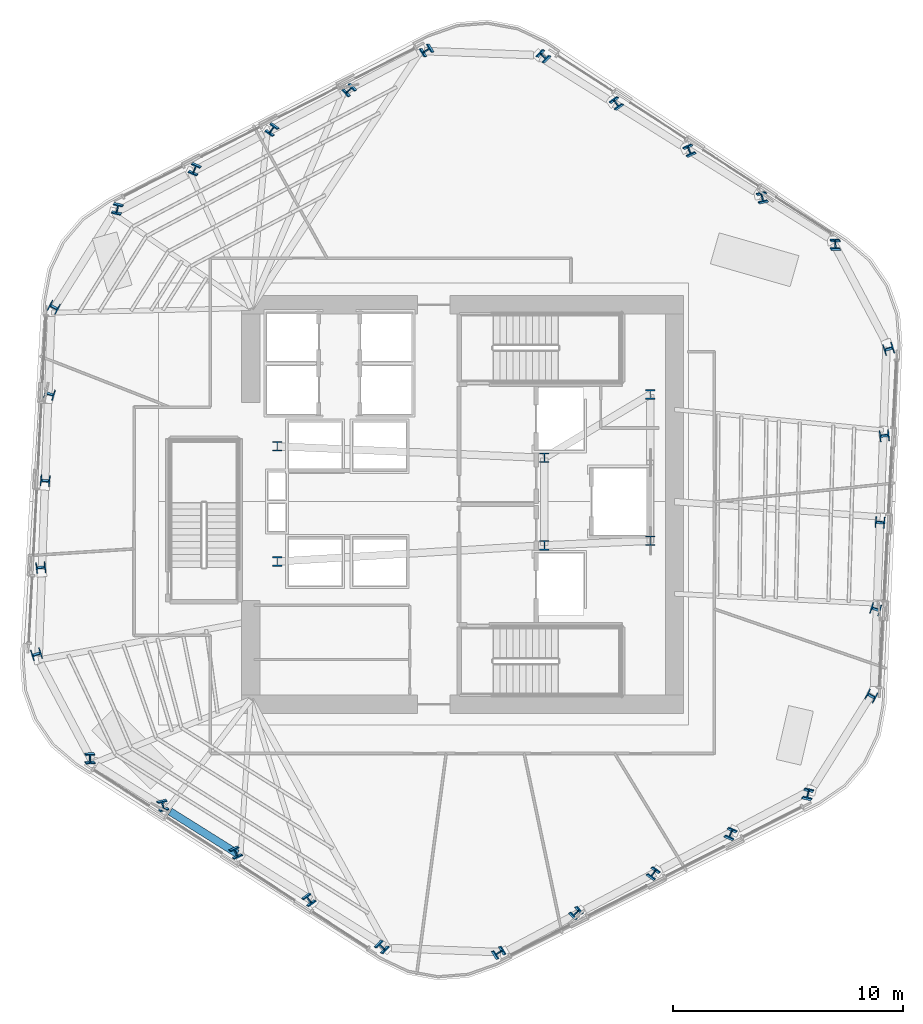
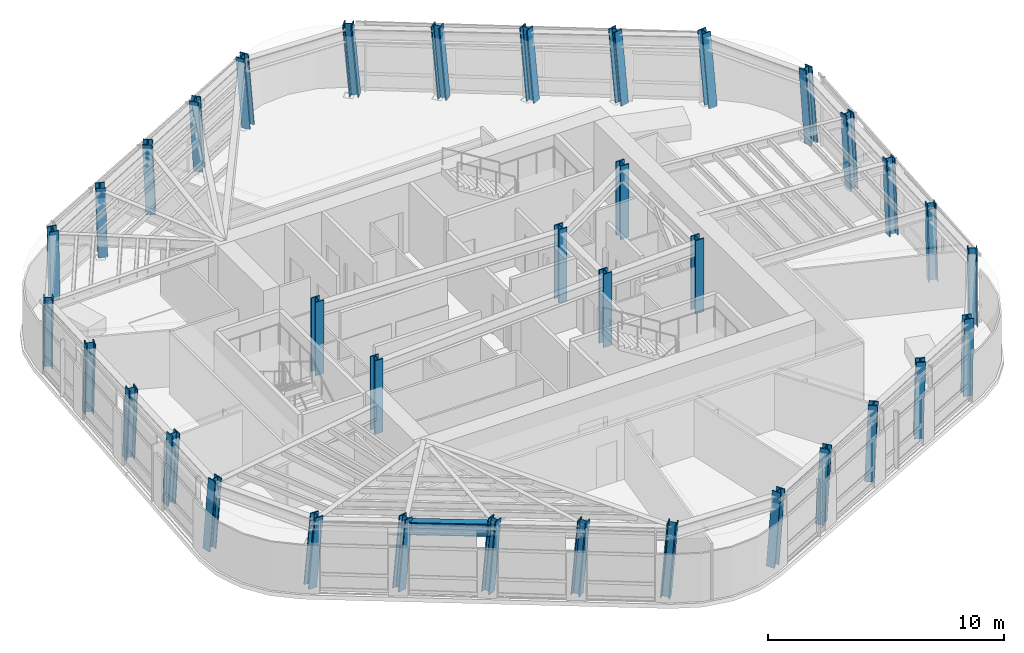
# One storey, part 1 of 14: 36 columns, 1 beam.
"""IFC4 building model written with IfcOpenShell, lengths in metres."""

from ifc_helpers import new_model, si_unit, direction, frame, origin, origin_2d, place, context, subcontext, project, spatial, i_section, extrude, material, material_profile, profile_set, type_object, element, save


model = new_model("IFC4")

# Units and contexts
model_context = context("Model", 3, precision=1e-05, world=origin(), true_north=direction((0.0, 1.0)))
body_context = subcontext(model_context, "Body", "Model", "MODEL_VIEW")
ifc_project = project(units=[si_unit("LENGTHUNIT", "METRE"), si_unit("AREAUNIT", "SQUARE_METRE"), si_unit("VOLUMEUNIT", "CUBIC_METRE"), si_unit("PLANEANGLEUNIT", "RADIAN"), si_unit("MASSUNIT", "GRAM", prefix="KILO")], contexts=[model_context])

# Site, building, storey
site_placement = place(None, origin())
site = spatial("IfcSite", under=ifc_project, at=site_placement, CompositionType="ELEMENT")
building_placement = place(site_placement, origin())
building = spatial("IfcBuilding", under=site, at=building_placement, Name="Valkerne Bourse Tower", CompositionType="ELEMENT")
storey_placement = place(building_placement, frame((0.0, 0.0, 140.0)))
storey = spatial("IfcBuildingStorey", under=building, at=storey_placement, Name="L35", CompositionType="ELEMENT", Elevation=140.0)

# Columns
ifc_material_1 = material(Name="Steel ASTM A913 Grade 65", Category="steel")
ifc_material_profile_1 = material_profile(ifc_material_1, i_section(OverallWidth=0.406494140625, OverallDepth=0.41650390625, WebThickness=0.02978515625, FlangeThickness=0.048095703125, FilletRadius=0.025390625, at=origin_2d()), Name="W14X257")
ifc_profile_set_1 = profile_set([ifc_material_profile_1], Name="Steel ASTM A913 Grade 65")
column_type_1 = type_object("IfcColumnType", Name="COL-W14X257", PredefinedType="COLUMN", material=ifc_profile_set_1)
column_1_placement = place(storey_placement, frame((63.0068359375, 38.1083984375, 0.010009765625), z_axis=(-0.046529360422, 0.066801488407, 0.996680781276), x_axis=(0.998440767758, 0.033913573831, 0.044338502321)))
element("IfcColumn", 1, at=column_1_placement, inside=storey, type_object=column_type_1, Name="L35 Helical Perimeter Tube Column F1-C1", PredefinedType="COLUMN", context=body_context, shape_type="SweptSolid", body=[
    extrude(i_section(OverallWidth=0.406494140625, OverallDepth=0.41650390625, WebThickness=0.02978515625, FlangeThickness=0.048095703125, FilletRadius=0.025390625, at=origin_2d()), origin(), (0.0, 0.0, 1.0), 3.793701171875),
])
column_2_placement = place(storey_placement, frame((59.843994140625, 40.162353515625, 0.010009765625), z_axis=(-0.054916148069, 0.053564167871, 0.997053206505), x_axis=(0.974331744027, 0.221205795152, 0.041780961845)))
element("IfcColumn", 2, at=column_2_placement, inside=storey, type_object=column_type_1, Name="L35 Helical Perimeter Tube Column F1-C2", PredefinedType="COLUMN", context=body_context, shape_type="SweptSolid", body=[
    extrude(i_section(OverallWidth=0.406494140625, OverallDepth=0.41650390625, WebThickness=0.02978515625, FlangeThickness=0.048095703125, FilletRadius=0.025390625, at=origin_2d()), origin(), (0.0, 0.0, 1.0), 3.792236328125),
])
column_3_placement = place(storey_placement, frame((56.681396484375, 42.21630859375, 0.010009765625), z_axis=(-0.063293474367, 0.040371320883, 0.997178064617), x_axis=(0.908893306963, 0.415019478907, 0.040887512589)))
element("IfcColumn", 3, at=column_3_placement, inside=storey, type_object=column_type_1, Name="L35 Helical Perimeter Tube Column F1-C3", PredefinedType="COLUMN", context=body_context, shape_type="SweptSolid", body=[
    extrude(i_section(OverallWidth=0.406494140625, OverallDepth=0.41650390625, WebThickness=0.02978515625, FlangeThickness=0.048095703125, FilletRadius=0.025390625, at=origin_2d()), origin(), (0.0, 0.0, 1.0), 3.791748046875),
])
column_4_placement = place(storey_placement, frame((53.518798828125, 44.27001953125, 0.010009765625), z_axis=(-0.071719316864, 0.027232738809, 0.997053016407), x_axis=(0.805381535973, 0.591282352429, 0.041782307483)))
element("IfcColumn", 4, at=column_4_placement, inside=storey, type_object=column_type_1, Name="L35 Helical Perimeter Tube Column F1-C4", PredefinedType="COLUMN", context=body_context, shape_type="SweptSolid", body=[
    extrude(i_section(OverallWidth=0.406494140625, OverallDepth=0.41650390625, WebThickness=0.02978515625, FlangeThickness=0.048095703125, FilletRadius=0.025390625, at=origin_2d()), origin(), (0.0, 0.0, 1.0), 3.792236328125),
])
column_5_placement = place(storey_placement, frame((50.356201171875, 46.323974609375, 0.010009765625), z_axis=(-0.080123607896, 0.014029675921, 0.996686197181), x_axis=(0.67934990334, 0.732475943937, 0.0443023745)))
element("IfcColumn", 5, at=column_5_placement, inside=storey, type_object=column_type_1, Name="L35 Helical Perimeter Tube Column F1-C5", PredefinedType="COLUMN", context=body_context, shape_type="SweptSolid", body=[
    extrude(i_section(OverallWidth=0.406494140625, OverallDepth=0.41650390625, WebThickness=0.02978515625, FlangeThickness=0.048095703125, FilletRadius=0.025390625, at=origin_2d()), origin(), (0.0, 0.0, 1.0), 3.79345703125),
])
column_6_placement = place(storey_placement, frame((45.283203125, 46.589599609375, 0.010009765625), z_axis=(-0.081088700684, -0.006886103947, 0.996683101188), x_axis=(-0.526255358708, 0.849523566701, -0.03694600183)))
element("IfcColumn", 6, at=column_6_placement, inside=storey, type_object=column_type_1, Name="L35 Helical Perimeter Tube Column F2-C1", PredefinedType="COLUMN", context=body_context, shape_type="SweptSolid", body=[
    extrude(i_section(OverallWidth=0.406494140625, OverallDepth=0.41650390625, WebThickness=0.02978515625, FlangeThickness=0.048095703125, FilletRadius=0.025390625, at=origin_2d()), origin(), (0.0, 0.0, 1.0), 3.793701171875),
])
column_7_placement = place(storey_placement, frame((41.923095703125, 44.877685546875, 0.010009765625), z_axis=(-0.073907883262, -0.020794639629, 0.997048247456), x_axis=(-0.6770546156, 0.735106854373, -0.034856278475)))
element("IfcColumn", 7, at=column_7_placement, inside=storey, type_object=column_type_1, Name="L35 Helical Perimeter Tube Column F2-C2", PredefinedType="COLUMN", context=body_context, shape_type="SweptSolid", body=[
    extrude(i_section(OverallWidth=0.406494140625, OverallDepth=0.41650390625, WebThickness=0.02978515625, FlangeThickness=0.048095703125, FilletRadius=0.025390625, at=origin_2d()), origin(), (0.0, 0.0, 1.0), 3.792236328125),
])
column_8_placement = place(storey_placement, frame((38.56298828125, 43.165771484375, 0.010009765625), z_axis=(-0.066641481274, -0.034640692681, 0.997175478732), x_axis=(-0.812630123386, 0.581781417332, -0.034097874035)))
element("IfcColumn", 8, at=column_8_placement, inside=storey, type_object=column_type_1, Name="L35 Helical Perimeter Tube Column F2-C3", PredefinedType="COLUMN", context=body_context, shape_type="SweptSolid", body=[
    extrude(i_section(OverallWidth=0.406494140625, OverallDepth=0.41650390625, WebThickness=0.02978515625, FlangeThickness=0.048095703125, FilletRadius=0.025390625, at=origin_2d()), origin(), (0.0, 0.0, 1.0), 3.791748046875),
])
column_9_placement = place(storey_placement, frame((35.203125, 41.45361328125, 0.010009765625), z_axis=(-0.059487011378, -0.04847805148, 0.997051239406), x_axis=(-0.913765476078, 0.404745505554, -0.034838634611)))
element("IfcColumn", 9, at=column_9_placement, inside=storey, type_object=column_type_1, Name="L35 Helical Perimeter Tube Column F2-C4", PredefinedType="COLUMN", context=body_context, shape_type="SweptSolid", body=[
    extrude(i_section(OverallWidth=0.406494140625, OverallDepth=0.41650390625, WebThickness=0.02978515625, FlangeThickness=0.048095703125, FilletRadius=0.025390625, at=origin_2d()), origin(), (0.0, 0.0, 1.0), 3.792236328125),
])
column_10_placement = place(storey_placement, frame((31.84326171875, 39.74169921875, 0.010009765625), z_axis=(-0.052257243177, -0.062361168274, 0.996684636797), x_axis=(-0.97355136334, 0.225462561836, -0.036937462686)))
element("IfcColumn", 10, at=column_10_placement, inside=storey, type_object=column_type_1, Name="L35 Helical Perimeter Tube Column F2-C5", PredefinedType="COLUMN", context=body_context, shape_type="SweptSolid", body=[
    extrude(i_section(OverallWidth=0.406494140625, OverallDepth=0.41650390625, WebThickness=0.02978515625, FlangeThickness=0.048095703125, FilletRadius=0.025390625, at=origin_2d()), origin(), (0.0, 0.0, 1.0), 3.793701171875),
])
column_11_placement = place(storey_placement, frame((29.076416015625, 35.481201171875, 0.010009765625), z_axis=(-0.034559371086, -0.073623688123, 0.996687113601), x_axis=(-0.470308363787, -0.878756714709, -0.081219944016)))
element("IfcColumn", 11, at=column_11_placement, inside=storey, type_object=column_type_1, Name="L35 Helical Perimeter Tube Column F3-C1", PredefinedType="COLUMN", context=body_context, shape_type="SweptSolid", body=[
    extrude(i_section(OverallWidth=0.406494140625, OverallDepth=0.41650390625, WebThickness=0.02978515625, FlangeThickness=0.048095703125, FilletRadius=0.025390625, at=origin_2d()), origin(), (0.0, 0.0, 1.0), 3.79345703125),
])
column_12_placement = place(storey_placement, frame((28.87890625, 31.71533203125, 0.010009765625), z_axis=(-0.018927698148, -0.074358814151, 0.99705190888), x_axis=(-0.296333606194, -0.952005792517, -0.076624831832)))
element("IfcColumn", 12, at=column_12_placement, inside=storey, type_object=column_type_1, Name="L35 Helical Perimeter Tube Column F3-C2", PredefinedType="COLUMN", context=body_context, shape_type="SweptSolid", body=[
    extrude(i_section(OverallWidth=0.406494140625, OverallDepth=0.41650390625, WebThickness=0.02978515625, FlangeThickness=0.048095703125, FilletRadius=0.025390625, at=origin_2d()), origin(), (0.0, 0.0, 1.0), 3.792236328125),
])
column_13_placement = place(storey_placement, frame((28.681640625, 27.949462890625, 0.010009765625), z_axis=(-0.003348159998, -0.075076049179, 0.997172190078), x_axis=(-0.096649746631, -0.992485099272, -0.07504767951)))
element("IfcColumn", 13, at=column_13_placement, inside=storey, type_object=column_type_1, Name="L35 Helical Perimeter Tube Column F3-C3", PredefinedType="COLUMN", context=body_context, shape_type="SweptSolid", body=[
    extrude(i_section(OverallWidth=0.406494140625, OverallDepth=0.41650390625, WebThickness=0.02978515625, FlangeThickness=0.048095703125, FilletRadius=0.025390625, at=origin_2d()), origin(), (0.0, 0.0, 1.0), 3.791748046875),
])
column_14_placement = place(storey_placement, frame((28.484375, 24.18359375, 0.010009765625), z_axis=(0.012232220987, -0.0757110099, 0.997054770687), x_axis=(0.107142686835, -0.991289448608, -0.07658768658)))
element("IfcColumn", 14, at=column_14_placement, inside=storey, type_object=column_type_1, Name="L35 Helical Perimeter Tube Column F3-C4", PredefinedType="COLUMN", context=body_context, shape_type="SweptSolid", body=[
    extrude(i_section(OverallWidth=0.406494140625, OverallDepth=0.41650390625, WebThickness=0.02978515625, FlangeThickness=0.048095703125, FilletRadius=0.025390625, at=origin_2d()), origin(), (0.0, 0.0, 1.0), 3.792236328125),
])
for number, where, z_axis, x_axis, name in (
    (15, (28.286865234375, 20.41796875, 0.010009765625), (0.027866208811, -0.076455094844, 0.996683547009), (0.291666344231, -0.95306189425, -0.08126357961), "L35 Helical Perimeter Tube Column F3-C5"),
    (16, (30.59326171875, 15.8916015625, 0.010009765625), (0.046529360422, -0.066801488407, 0.996680781276), (0.998440767758, 0.033913573831, -0.044338502321), "L35 Helical Perimeter Tube Column F4-C1"),
):
    element("IfcColumn", number, at=place(storey_placement, frame(where, z_axis=z_axis, x_axis=x_axis)), inside=storey, type_object=column_type_1, Name=name, PredefinedType="COLUMN", context=body_context, shape_type="SweptSolid", body=[
        extrude(i_section(OverallWidth=0.406494140625, OverallDepth=0.41650390625, WebThickness=0.02978515625, FlangeThickness=0.048095703125, FilletRadius=0.025390625, at=origin_2d()), origin(), (0.0, 0.0, 1.0), 3.793701171875),
    ])
column_15_placement = place(storey_placement, frame((33.755859375, 13.837646484375, 0.010009765625), z_axis=(0.054916148069, -0.053564167871, 0.997053206505), x_axis=(0.974331744027, 0.221205795152, -0.041780961845)))
element("IfcColumn", 17, at=column_15_placement, inside=storey, type_object=column_type_1, Name="L35 Helical Perimeter Tube Column F4-C2", PredefinedType="COLUMN", context=body_context, shape_type="SweptSolid", body=[
    extrude(i_section(OverallWidth=0.406494140625, OverallDepth=0.41650390625, WebThickness=0.02978515625, FlangeThickness=0.048095703125, FilletRadius=0.025390625, at=origin_2d()), origin(), (0.0, 0.0, 1.0), 3.792236328125),
])
column_16_placement = place(storey_placement, frame((36.91845703125, 11.78369140625, 0.010009765625), z_axis=(0.063357604103, -0.040371156273, 0.99717399873), x_axis=(0.908700063127, 0.415439527799, -0.040916916006)))
element("IfcColumn", 18, at=column_16_placement, inside=storey, type_object=column_type_1, Name="L35 Helical Perimeter Tube Column F4-C3", PredefinedType="COLUMN", context=body_context, shape_type="SweptSolid", body=[
    extrude(i_section(OverallWidth=0.406494140625, OverallDepth=0.41650390625, WebThickness=0.02978515625, FlangeThickness=0.048095703125, FilletRadius=0.025390625, at=origin_2d()), origin(), (0.0, 0.0, 1.0), 3.791748046875),
])
column_17_placement = place(storey_placement, frame((40.0810546875, 9.72998046875, 0.010009765625), z_axis=(0.071783365269, -0.027232613012, 0.99704841069), x_axis=(0.805203148215, 0.59152295352, -0.041814896424)))
element("IfcColumn", 19, at=column_17_placement, inside=storey, type_object=column_type_1, Name="L35 Helical Perimeter Tube Column F4-C4", PredefinedType="COLUMN", context=body_context, shape_type="SweptSolid", body=[
    extrude(i_section(OverallWidth=0.406494140625, OverallDepth=0.41650390625, WebThickness=0.02978515625, FlangeThickness=0.048095703125, FilletRadius=0.025390625, at=origin_2d()), origin(), (0.0, 0.0, 1.0), 3.792236328125),
])
column_18_placement = place(storey_placement, frame((43.24365234375, 7.676025390625, 0.010009765625), z_axis=(0.080123607896, -0.014029675921, 0.996686197181), x_axis=(0.67934990334, 0.732475943937, -0.0443023745)))
element("IfcColumn", 20, at=column_18_placement, inside=storey, type_object=column_type_1, Name="L35 Helical Perimeter Tube Column F4-C5", PredefinedType="COLUMN", context=body_context, shape_type="SweptSolid", body=[
    extrude(i_section(OverallWidth=0.406494140625, OverallDepth=0.41650390625, WebThickness=0.02978515625, FlangeThickness=0.048095703125, FilletRadius=0.025390625, at=origin_2d()), origin(), (0.0, 0.0, 1.0), 3.79345703125),
])
column_19_placement = place(storey_placement, frame((48.31689453125, 7.410400390625, 0.010009765625), z_axis=(0.081088700684, 0.006886103947, 0.996683101188), x_axis=(-0.526255358708, 0.849523566701, 0.03694600183)))
element("IfcColumn", 21, at=column_19_placement, inside=storey, type_object=column_type_1, Name="L35 Helical Perimeter Tube Column F5-C1", PredefinedType="COLUMN", context=body_context, shape_type="SweptSolid", body=[
    extrude(i_section(OverallWidth=0.406494140625, OverallDepth=0.41650390625, WebThickness=0.02978515625, FlangeThickness=0.048095703125, FilletRadius=0.025390625, at=origin_2d()), origin(), (0.0, 0.0, 1.0), 3.793701171875),
])
column_20_placement = place(storey_placement, frame((51.677001953125, 9.122314453125, 0.010009765625), z_axis=(0.073843854782, 0.020794738531, 0.997052989545), x_axis=(-0.677223753631, 0.734952363329, 0.034828309683)))
element("IfcColumn", 22, at=column_20_placement, inside=storey, type_object=column_type_1, Name="L35 Helical Perimeter Tube Column F5-C2", PredefinedType="COLUMN", context=body_context, shape_type="SweptSolid", body=[
    extrude(i_section(OverallWidth=0.406494140625, OverallDepth=0.41650390625, WebThickness=0.02978515625, FlangeThickness=0.048095703125, FilletRadius=0.025390625, at=origin_2d()), origin(), (0.0, 0.0, 1.0), 3.792236328125),
])
column_21_placement = place(storey_placement, frame((55.036865234375, 10.834228515625, 0.010009765625), z_axis=(0.066705582813, 0.034640543971, 0.997171197907), x_axis=(-0.812398477337, 0.582103332214, 0.034123666933)))
element("IfcColumn", 23, at=column_21_placement, inside=storey, type_object=column_type_1, Name="L35 Helical Perimeter Tube Column F5-C3", PredefinedType="COLUMN", context=body_context, shape_type="SweptSolid", body=[
    extrude(i_section(OverallWidth=0.406494140625, OverallDepth=0.41650390625, WebThickness=0.02978515625, FlangeThickness=0.048095703125, FilletRadius=0.025390625, at=origin_2d()), origin(), (0.0, 0.0, 1.0), 3.791748046875),
])
column_22_placement = place(storey_placement, frame((58.396728515625, 12.54638671875, 0.010009765625), z_axis=(0.059487011378, 0.04847805148, 0.997051239406), x_axis=(-0.913765476078, 0.404745505554, 0.034838634611)))
element("IfcColumn", 24, at=column_22_placement, inside=storey, type_object=column_type_1, Name="L35 Helical Perimeter Tube Column F5-C4", PredefinedType="COLUMN", context=body_context, shape_type="SweptSolid", body=[
    extrude(i_section(OverallWidth=0.406494140625, OverallDepth=0.41650390625, WebThickness=0.02978515625, FlangeThickness=0.048095703125, FilletRadius=0.025390625, at=origin_2d()), origin(), (0.0, 0.0, 1.0), 3.792236328125),
])
column_23_placement = place(storey_placement, frame((61.7568359375, 14.25830078125, 0.010009765625), z_axis=(0.052257243177, 0.062361168274, 0.996684636797), x_axis=(-0.97355136334, 0.225462561836, 0.036937462686)))
element("IfcColumn", 25, at=column_23_placement, inside=storey, type_object=column_type_1, Name="L35 Helical Perimeter Tube Column F5-C5", PredefinedType="COLUMN", context=body_context, shape_type="SweptSolid", body=[
    extrude(i_section(OverallWidth=0.406494140625, OverallDepth=0.41650390625, WebThickness=0.02978515625, FlangeThickness=0.048095703125, FilletRadius=0.025390625, at=origin_2d()), origin(), (0.0, 0.0, 1.0), 3.793701171875),
])
column_24_placement = place(storey_placement, frame((64.523681640625, 18.518798828125, 0.010009765625), z_axis=(0.034559371086, 0.073623688123, 0.996687113601), x_axis=(-0.470308363787, -0.878756714709, 0.081219944016)))
element("IfcColumn", 26, at=column_24_placement, inside=storey, type_object=column_type_1, Name="L35 Helical Perimeter Tube Column F6-C1", PredefinedType="COLUMN", context=body_context, shape_type="SweptSolid", body=[
    extrude(i_section(OverallWidth=0.406494140625, OverallDepth=0.41650390625, WebThickness=0.02978515625, FlangeThickness=0.048095703125, FilletRadius=0.025390625, at=origin_2d()), origin(), (0.0, 0.0, 1.0), 3.79345703125),
])
column_25_placement = place(storey_placement, frame((64.720947265625, 22.28466796875, 0.010009765625), z_axis=(0.018992054891, 0.074358723386, 0.997050691844), x_axis=(-0.297107138502, -0.951763396623, 0.076640623036)))
element("IfcColumn", 27, at=column_25_placement, inside=storey, type_object=column_type_1, Name="L35 Helical Perimeter Tube Column F6-C2", PredefinedType="COLUMN", context=body_context, shape_type="SweptSolid", body=[
    extrude(i_section(OverallWidth=0.406494140625, OverallDepth=0.41650390625, WebThickness=0.02978515625, FlangeThickness=0.048095703125, FilletRadius=0.025390625, at=origin_2d()), origin(), (0.0, 0.0, 1.0), 3.792236328125),
])
column_26_placement = place(storey_placement, frame((64.91845703125, 26.050537109375, 0.010009765625), z_axis=(0.003283773007, 0.075076065208, 0.997172402981), x_axis=(-0.095800190045, -0.992567676699, 0.075044858315)))
element("IfcColumn", 28, at=column_26_placement, inside=storey, type_object=column_type_1, Name="L35 Helical Perimeter Tube Column F6-C3", PredefinedType="COLUMN", context=body_context, shape_type="SweptSolid", body=[
    extrude(i_section(OverallWidth=0.406494140625, OverallDepth=0.41650390625, WebThickness=0.02978515625, FlangeThickness=0.048095703125, FilletRadius=0.025390625, at=origin_2d()), origin(), (0.0, 0.0, 1.0), 3.791748046875),
])
column_27_placement = place(storey_placement, frame((65.11572265625, 29.81640625, 0.010009765625), z_axis=(-0.012296591389, 0.07571095012, 0.997053983429), x_axis=(0.107963903514, -0.991199554189, 0.076597906715)))
element("IfcColumn", 29, at=column_27_placement, inside=storey, type_object=column_type_1, Name="L35 Helical Perimeter Tube Column F6-C4", PredefinedType="COLUMN", context=body_context, shape_type="SweptSolid", body=[
    extrude(i_section(OverallWidth=0.406494140625, OverallDepth=0.41650390625, WebThickness=0.02978515625, FlangeThickness=0.048095703125, FilletRadius=0.025390625, at=origin_2d()), origin(), (0.0, 0.0, 1.0), 3.792236328125),
])
column_28_placement = place(storey_placement, frame((65.31298828125, 33.58203125, 0.010009765625), z_axis=(-0.027801902472, 0.076455231798, 0.996685332364), x_axis=(0.29095851635, -0.953280085555, 0.081241739569)))
element("IfcColumn", 30, at=column_28_placement, inside=storey, type_object=column_type_1, Name="L35 Helical Perimeter Tube Column F6-C5", PredefinedType="COLUMN", context=body_context, shape_type="SweptSolid", body=[
    extrude(i_section(OverallWidth=0.406494140625, OverallDepth=0.41650390625, WebThickness=0.02978515625, FlangeThickness=0.048095703125, FilletRadius=0.025390625, at=origin_2d()), origin(), (0.0, 0.0, 1.0), 3.793701171875),
])
ifc_material_profile_2 = material_profile(ifc_material_1, i_section(OverallWidth=0.408935546875, OverallDepth=0.42431640625, WebThickness=0.03271484375, FlangeThickness=0.052490234375, FilletRadius=0.025390625, at=origin_2d()), Name="W14X283")
ifc_profile_set_2 = profile_set([ifc_material_profile_2], Name="Steel ASTM A913 Grade 65")
column_type_2 = type_object("IfcColumnType", Name="COL-W14X283", PredefinedType="COLUMN", material=ifc_profile_set_2)
for number, where, z_axis, x_axis, name in (
    (31, (38.75, 24.39990234375, 0.0048828125), (0.0, 0.0, 1.0), (1.0, 0.0, 0.0), "L35 Core Frame Column CC-SW"),
    (32, (38.75, 29.39990234375, 0.0048828125), (0.0, 0.0, 1.0), (1.0, 0.0, 0.0), "L35 Core Frame Column CC-NW"),
    (33, (50.35009765625, 25.10009765625, 0.0048828125), (0.0, 0.0, 1.0), (1.0, 0.0, 0.0), "L35 Core Frame Column CC-CE1"),
    (34, (50.35009765625, 28.89990234375, 0.0048828125), (0.0, 0.0, 1.0), (1.0, 0.0, 0.0), "L35 Core Frame Column CC-CE2"),
    (35, (54.949951171875, 25.300048828125, 0.0048828125), (0.0, 0.0, 1.0), (1.0, 0.0, 0.0), "L35 Core Frame Column CC-SE"),
    (36, (54.949951171875, 31.64990234375, 0.0048828125), (0.0, 0.0, 1.0), (1.0, 0.0, 0.0), "L35 Core Frame Column CC-NE"),
):
    element("IfcColumn", number, at=place(storey_placement, frame(where, z_axis=z_axis, x_axis=x_axis)), inside=storey, type_object=column_type_2, Name=name, PredefinedType="COLUMN", context=body_context, shape_type="SweptSolid", body=[
        extrude(i_section(OverallWidth=0.408935546875, OverallDepth=0.42431640625, WebThickness=0.03271484375, FlangeThickness=0.052490234375, FilletRadius=0.025390625, at=origin_2d()), origin(), (0.0, 0.0, 1.0), 3.795166015625),
    ])

# Beam
ifc_material_2 = material(Name="Steel ASTM A992", Category="steel")
ifc_material_profile_3 = material_profile(ifc_material_2, i_section(OverallWidth=0.330078125, OverallDepth=0.647705078125, WebThickness=0.0205078125, FlangeThickness=0.037109375, FilletRadius=0.020263671875, at=origin_2d()), Name="W24X192")
ifc_profile_set_3 = profile_set([ifc_material_profile_3], Name="Steel ASTM A992")
beam_type = type_object("IfcBeamType", Name="BM-W24X192", PredefinedType="SPANDREL", material=ifc_profile_set_3)
beam_placement = place(storey_placement, frame((34.108154296875, 13.544189453125, 3.256103515625), z_axis=(0.847089646393, -0.531450026788, 0.0), x_axis=(0.531450026788, 0.847089646393, 0.0)))
element("IfcBeam", 37, at=beam_placement, inside=storey, type_object=beam_type, Name="L35 Hexagonal Spandrel Ring Beam 16", PredefinedType="SPANDREL", context=body_context, shape_type="SweptSolid", body=[
    extrude(i_section(OverallWidth=0.330078125, OverallDepth=0.647705078125, WebThickness=0.0205078125, FlangeThickness=0.037109375, FilletRadius=0.020263671875, at=origin_2d()), origin(), (0.0, 0.0, 1.0), 3.43115234375),
])

save(model, "model.ifc")
